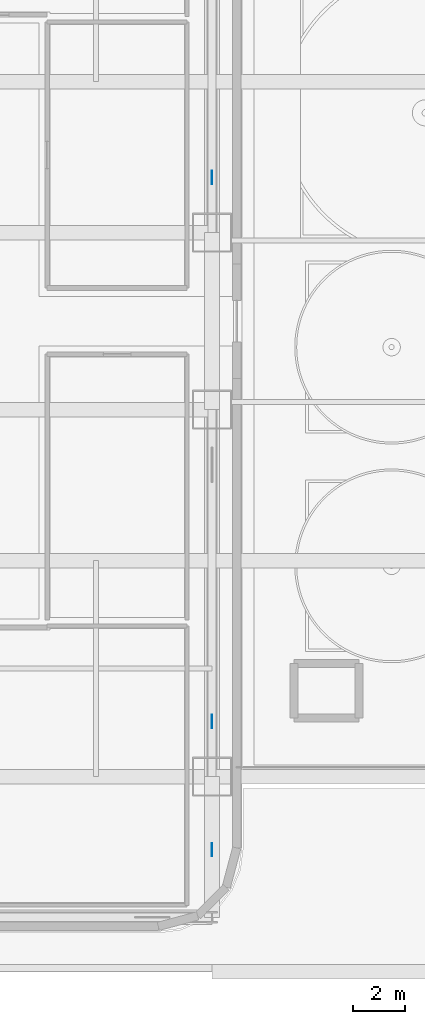
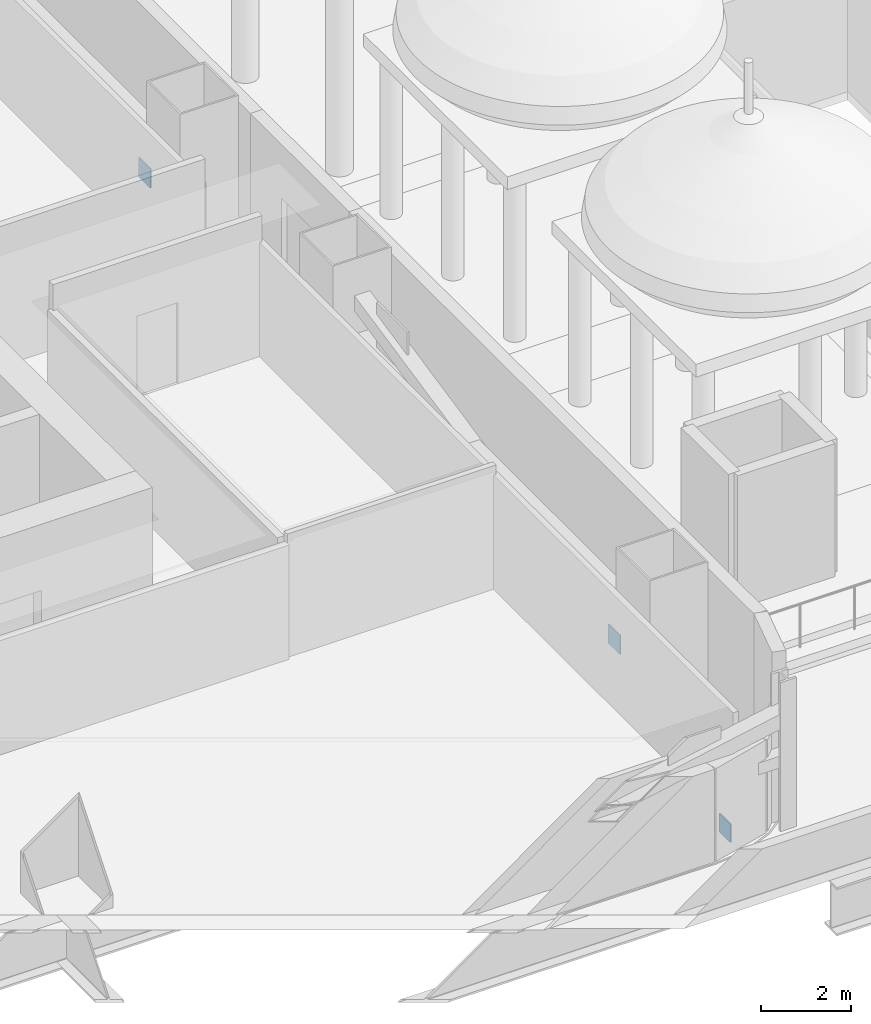
# One storey, part 12 of 30: 3 plates.
"""IFC4 building model written with IfcOpenShell, lengths in metres."""

from ifc_helpers import new_model, si_unit, direction, frame, origin, origin_2d, place, context, subcontext, project, spatial, rectangle, extrude, material, layer, layer_set, type_object, element, save


model = new_model("IFC4")

# Units and contexts
model_context = context("Model", 3, precision=1e-05, world=origin(), true_north=direction((0.0, 1.0)))
body_context = subcontext(model_context, "Body", "Model", "MODEL_VIEW")
ifc_project = project(units=[si_unit("LENGTHUNIT", "METRE"), si_unit("AREAUNIT", "SQUARE_METRE"), si_unit("VOLUMEUNIT", "CUBIC_METRE"), si_unit("PLANEANGLEUNIT", "RADIAN"), si_unit("MASSUNIT", "GRAM", prefix="KILO")], contexts=[model_context])

# Site, building, storey
site_placement = place(None, origin())
site = spatial("IfcSite", under=ifc_project, at=site_placement, CompositionType="ELEMENT")
building_placement = place(site_placement, origin())
building = spatial("IfcBuilding", under=site, at=building_placement, Name="Punatoya Terracotta Tower", CompositionType="ELEMENT")
storey_placement = place(building_placement, frame((0.0, 0.0, 28.199951171875)))
storey = spatial("IfcBuildingStorey", under=building, at=storey_placement, Name="L05", CompositionType="ELEMENT", Elevation=28.199951171875)

# Plates
ifc_material = material(Name="Steel S460", Category="steel")
ifc_layer = layer(ifc_material, 0.031982421875)
ifc_layer_set = layer_set([ifc_layer], Name="Steel S460")
plate_type = type_object("IfcPlateType", Name="PLT-END-32", PredefinedType="USERDEFINED", material=ifc_layer_set)
for number, where, z_axis, x_axis, name in (
    (1, (19.10009765625, -15.385009765625, 0.20849609375), (0.0, 0.0, 1.0), (0.0, 1.0, 0.0), "L05 Exoskeleton Base Node Plate E1"),
    (2, (19.10009765625, 5.514892578125, 0.20849609375), (0.0, 0.0, 1.0), (0.0, 1.0, 0.0), "L05 Exoskeleton Base Node Plate E3"),
):
    element("IfcPlate", number, at=place(storey_placement, frame(where, z_axis=z_axis, x_axis=x_axis)), inside=storey, type_object=plate_type, Name=name, ObjectType="FLANGE_PLATE", PredefinedType="USERDEFINED", context=body_context, shape_type="SweptSolid", body=[
        extrude(rectangle(XDim=0.52001953125, YDim=0.031982421875, at=origin_2d()), origin(), (0.0, 0.0, 1.0), 0.52001953125),
    ])
plate_placement = place(storey_placement, frame((19.10009765625, -20.31591796875, -1.91796875), z_axis=(0.0, 0.0, 1.0), x_axis=(0.0, 1.0, 0.0)))
element("IfcPlate", 3, at=plate_placement, inside=storey, type_object=plate_type, Name="L05 Knee-Strut Upper End Cap Plate S2", ObjectType="FLANGE_PLATE", PredefinedType="USERDEFINED", context=body_context, shape_type="SweptSolid", body=[
    extrude(rectangle(XDim=0.5, YDim=0.031982421875, at=origin_2d()), origin(), (0.0, 0.0, 1.0), 0.5),
])

save(model, "model.ifc")
